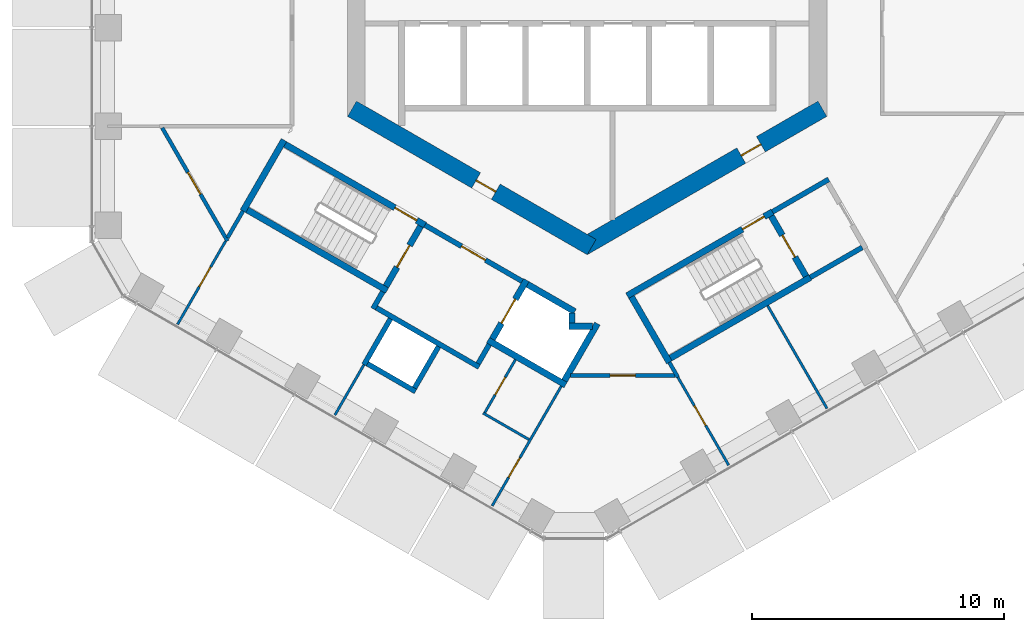
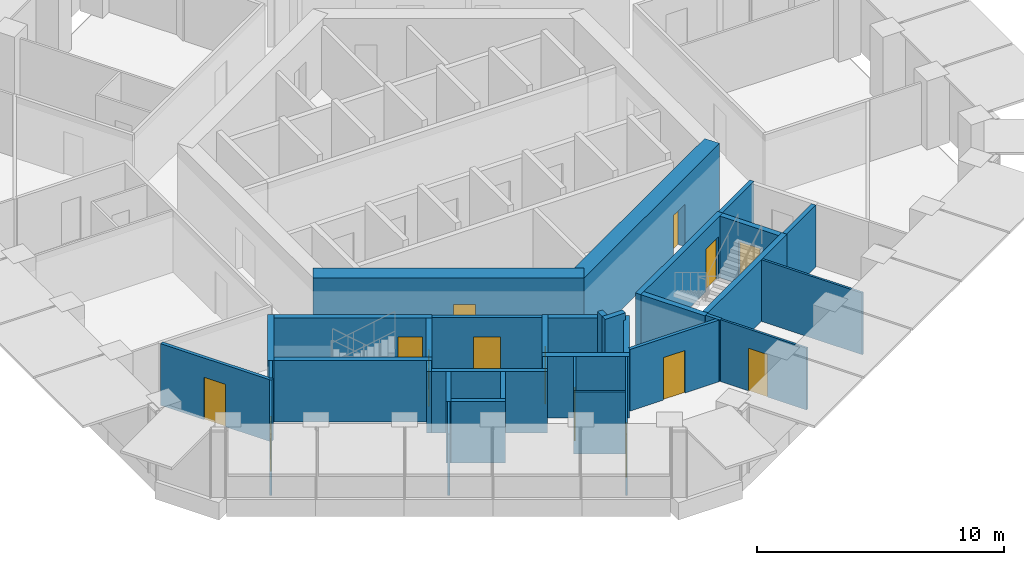
# One storey, part 12 of 18: 36 walls, 14 doors, 14 openings.
"""IFC4 building model written with IfcOpenShell, lengths in metres."""

from ifc_helpers import new_model, si_unit, direction, frame, frame_2d, origin, place, context, subcontext, project, spatial, rectangle, extrude, material, layer, layer_set, type_object, element, fill, save


model = new_model("IFC4")

# Units and contexts
model_context = context("Model", 3, precision=1e-05, world=origin(), true_north=direction((0.0, 1.0)))
body_context = subcontext(model_context, "Body", "Model", "MODEL_VIEW")
ifc_project = project(units=[si_unit("LENGTHUNIT", "METRE"), si_unit("AREAUNIT", "SQUARE_METRE"), si_unit("VOLUMEUNIT", "CUBIC_METRE"), si_unit("PLANEANGLEUNIT", "RADIAN"), si_unit("MASSUNIT", "GRAM", prefix="KILO")], contexts=[model_context])

# Site, building, storey
site_placement = place(None, origin())
site = spatial("IfcSite", under=ifc_project, at=site_placement, CompositionType="ELEMENT")
building_placement = place(site_placement, origin())
building = spatial("IfcBuilding", under=site, at=building_placement, Name="Ayvan Gate Tower", CompositionType="ELEMENT")
storey_placement = place(building_placement, frame((0.0, 0.0, 110.300048828125)))
storey = spatial("IfcBuildingStorey", under=building, at=storey_placement, Name="L29", CompositionType="ELEMENT", Elevation=110.300048828125)

# Wall, opening, door
ifc_material_1 = material(Name="Concrete C70/85", Category="concrete")
ifc_layer_1 = layer(ifc_material_1, 0.699951171875)
ifc_layer_set_1 = layer_set([ifc_layer_1], Name="Concrete C70/85")
wall_type_1 = type_object("IfcWallType", Name="Core wall 700 C70/85", PredefinedType="SHEAR", material=ifc_layer_set_1)
wall_1_placement = place(storey_placement, frame((-9.324951171875, -5.181640625, 0.0), z_axis=(0.0, 0.0, 1.0), x_axis=(0.866023993627, -0.500002442456, 0.0)))
wall_1 = element("IfcWall", 1, at=wall_1_placement, inside=storey, type_object=wall_type_1, Name="CORE-L29-4", PredefinedType="SHEAR", context=body_context, shape_type="SweptSolid", body=[
    extrude(rectangle(XDim=10.9697265625, YDim=0.699951171875, at=frame_2d((5.48486328125, 0.0))), origin(), (0.0, 0.0, 1.0), 3.39990234375),
])
opening_1_placement = place(wall_1_placement, frame((5.68212890625, 0.0, 0.0)))
opening_1 = element("IfcOpeningElement", 2, at=opening_1_placement, cuts=wall_1, Name="Opening L29-D42", PredefinedType="OPENING", context=body_context, shape_type="SweptSolid", body=[
    extrude(rectangle(XDim=0.89990234375, YDim=2.10009765625, at=frame_2d((0.449951171875, 1.050048828125))), frame((0.0, 0.35986328125, 0.0), z_axis=(0.0, -1.0, 0.0), x_axis=(1.0, 0.0, 0.0)), (0.0, 0.0, 1.0), 0.719970703125),
])
ifc_material_2 = material(Name="Timber door leaf", Category="wood")
door_type_1 = type_object("IfcDoorType", Name="DT-900", OperationType="NOTDEFINED", PredefinedType="DOOR", material=ifc_material_2)
door_1_placement = place(opening_1_placement, origin())
door_1 = element("IfcDoor", 3, at=door_1_placement, inside=storey, type_object=door_type_1, Name="CD-L29-42", OperationType="SINGLE_SWING_LEFT", OverallHeight=2.10009765625, OverallWidth=0.89990234375, PredefinedType="DOOR", context=body_context, shape_type="SweptSolid", body=[
    extrude(rectangle(XDim=0.89990234375, YDim=2.10009765625, at=frame_2d((0.449951171875, 1.050048828125))), frame((0.0, 0.02490234375, 0.0), z_axis=(0.0, -1.0, 0.0), x_axis=(1.0, 0.0, 0.0)), (0.0, 0.0, 1.0), 0.050048828125),
])
fill(opening_1, door_1)

wall_2_placement = place(storey_placement, frame((-0.175048828125, -10.66650390625, 0.0), z_axis=(0.0, 0.0, 1.0), x_axis=(0.866023993627, 0.500002442456, 0.0)))
wall_2 = element("IfcWall", 4, at=wall_2_placement, inside=storey, type_object=wall_type_1, Name="CORE-L29-5", PredefinedType="SHEAR", context=body_context, shape_type="SweptSolid", body=[
    extrude(rectangle(XDim=10.9697265625, YDim=0.699951171875, at=frame_2d((5.48486328125, 0.0))), origin(), (0.0, 0.0, 1.0), 3.39990234375),
])
opening_2_placement = place(wall_2_placement, frame((7.25244140625, 0.0, 0.0)))
opening_2 = element("IfcOpeningElement", 5, at=opening_2_placement, cuts=wall_2, Name="Opening L29-D43", PredefinedType="OPENING", context=body_context, shape_type="SweptSolid", body=[
    extrude(rectangle(XDim=0.89990234375, YDim=2.10009765625, at=frame_2d((0.449951171875, 1.050048828125))), frame((0.0, 0.35986328125, 0.0), z_axis=(0.0, -1.0, 0.0), x_axis=(1.0, 0.0, 0.0)), (0.0, 0.0, 1.0), 0.719970703125),
])
door_2_placement = place(opening_2_placement, origin())
door_2 = element("IfcDoor", 6, at=door_2_placement, inside=storey, type_object=door_type_1, Name="CD-L29-43", OperationType="SINGLE_SWING_RIGHT", OverallHeight=2.10009765625, OverallWidth=0.89990234375, PredefinedType="DOOR", context=body_context, shape_type="SweptSolid", body=[
    extrude(rectangle(XDim=0.89990234375, YDim=2.10009765625, at=frame_2d((0.449951171875, 1.050048828125))), frame((0.0, 0.02490234375, 0.0), z_axis=(0.0, -1.0, 0.0), x_axis=(1.0, 0.0, 0.0)), (0.0, 0.0, 1.0), 0.050048828125),
])
fill(opening_2, door_2)

ifc_material_3 = material(Name="Plasterboard on steel stud", Category="steel")
ifc_layer_2 = layer(ifc_material_3, 0.14990234375)
ifc_layer_set_2 = layer_set([ifc_layer_2], Name="Plasterboard on steel stud")
wall_type_2 = type_object("IfcWallType", Name="WT-CORR-150", PredefinedType="PARTITIONING", material=ifc_layer_set_2)
wall_3_placement = place(storey_placement, frame((-14.2587890625, -10.4267578125, 0.0), z_axis=(0.0, 0.0, 1.0), x_axis=(-0.500001205343, 0.866024707878, 0.0)))
wall_3 = element("IfcWall", 7, at=wall_3_placement, inside=storey, type_object=wall_type_2, Name="IW-L29-007", PredefinedType="PARTITIONING", context=body_context, shape_type="SweptSolid", body=[
    extrude(rectangle(XDim=5.1806640625, YDim=0.14990234375, at=frame_2d((2.59033203125, 0.0))), origin(), (0.0, 0.0, 1.0), 3.050048828125),
])
opening_3_placement = place(wall_3_placement, frame((2.14501953125, 0.0, 0.0)))
opening_3 = element("IfcOpeningElement", 8, at=opening_3_placement, cuts=wall_3, Name="Opening L29-D27", PredefinedType="OPENING", context=body_context, shape_type="SweptSolid", body=[
    extrude(rectangle(XDim=1.0, YDim=2.10009765625, at=frame_2d((0.5, 1.050048828125))), frame((0.0, 0.0849609375, 0.0), z_axis=(0.0, -1.0, 0.0), x_axis=(1.0, 0.0, 0.0)), (0.0, 0.0, 1.0), 0.169921875),
])
door_type_2 = type_object("IfcDoorType", Name="DT-1000", OperationType="NOTDEFINED", PredefinedType="DOOR", material=ifc_material_2)
door_3_placement = place(opening_3_placement, origin())
door_3 = element("IfcDoor", 9, at=door_3_placement, inside=storey, type_object=door_type_2, Name="ID-L29-027", OperationType="SINGLE_SWING_RIGHT", OverallHeight=2.10009765625, OverallWidth=1.0, PredefinedType="DOOR", context=body_context, shape_type="SweptSolid", body=[
    extrude(rectangle(XDim=1.0, YDim=2.10009765625, at=frame_2d((0.5, 1.050048828125))), frame((0.0, 0.02490234375, 0.0), z_axis=(0.0, -1.0, 0.0), x_axis=(1.0, 0.0, 0.0)), (0.0, 0.0, 1.0), 0.050048828125),
])
fill(opening_3, door_3)

# Walls
wall_4_placement = place(storey_placement, frame((-13.647705078125, -9.23876953125, 0.0), z_axis=(0.0, 0.0, 1.0), x_axis=(-0.500114474492, -0.865959301817, 0.0)))
element("IfcWall", 10, at=wall_4_placement, inside=storey, type_object=wall_type_2, Name="IW-L29-010", PredefinedType="PARTITIONING", context=body_context, shape_type="SweptSolid", body=[
    extrude(rectangle(XDim=1.221923828125, YDim=0.14990234375, at=frame_2d((0.61083984375, 0.0))), origin(), (0.0, 0.0, 1.0), 3.050048828125),
])
wall_5_placement = place(storey_placement, frame((3.255615234375, -15.23876953125, 0.0), z_axis=(0.0, 0.0, 1.0), x_axis=(0.499930013145, -0.866065806944, 0.0)))
element("IfcWall", 11, at=wall_5_placement, inside=storey, type_object=wall_type_2, Name="IW-L29-072", PredefinedType="PARTITIONING", context=body_context, shape_type="SweptSolid", body=[
    extrude(rectangle(XDim=0.6787109375, YDim=0.14990234375, at=frame_2d((0.33935546875, 0.0))), origin(), (0.0, 0.0, 1.0), 3.050048828125),
])

# Wall, opening, door
wall_6_placement = place(storey_placement, frame((3.482421875, -15.76171875, 0.0), z_axis=(0.0, 0.0, 1.0), x_axis=(-1.0, 0.0, 0.0)))
wall_6 = element("IfcWall", 12, at=wall_6_placement, inside=storey, type_object=wall_type_2, Name="IW-L29-075", PredefinedType="PARTITIONING", context=body_context, shape_type="SweptSolid", body=[
    extrude(rectangle(XDim=4.1435546875, YDim=0.14990234375, at=frame_2d((2.07177734375, 0.0))), origin(), (0.0, 0.0, 1.0), 3.050048828125),
])
opening_4_placement = place(wall_6_placement, frame((1.572021484375, 0.0, 0.0)))
opening_4 = element("IfcOpeningElement", 13, at=opening_4_placement, cuts=wall_6, Name="Opening L29-D29", PredefinedType="OPENING", context=body_context, shape_type="SweptSolid", body=[
    extrude(rectangle(XDim=1.0, YDim=2.10009765625, at=frame_2d((0.5, 1.050048828125))), frame((0.0, 0.0849609375, 0.0), z_axis=(0.0, -1.0, 0.0), x_axis=(1.0, 0.0, 0.0)), (0.0, 0.0, 1.0), 0.169921875),
])
door_4_placement = place(opening_4_placement, origin())
door_4 = element("IfcDoor", 14, at=door_4_placement, inside=storey, type_object=door_type_2, Name="ID-L29-029", OperationType="SINGLE_SWING_RIGHT", OverallHeight=2.10009765625, OverallWidth=1.0, PredefinedType="DOOR", context=body_context, shape_type="SweptSolid", body=[
    extrude(rectangle(XDim=1.0, YDim=2.10009765625, at=frame_2d((0.5, 1.050048828125))), frame((0.0, 0.02490234375, 0.0), z_axis=(0.0, -1.0, 0.0), x_axis=(1.0, 0.0, 0.0)), (0.0, 0.0, 1.0), 0.050048828125),
])
fill(opening_4, door_4)

ifc_layer_3 = layer(ifc_material_3, 0.10009765625)
ifc_layer_set_3 = layer_set([ifc_layer_3], Name="Plasterboard on steel stud")
wall_type_3 = type_object("IfcWallType", Name="WT-PART-100", PredefinedType="PARTITIONING", material=ifc_layer_set_3)
wall_7_placement = place(storey_placement, frame((-14.333740234375, -10.4267578125, 0.0), z_axis=(0.0, 0.0, 1.0), x_axis=(-0.500005339912, -0.866022320763, 0.0)))
wall_7 = element("IfcWall", 15, at=wall_7_placement, inside=storey, type_object=wall_type_3, Name="IW-L29-008", PredefinedType="PARTITIONING", context=body_context, shape_type="SweptSolid", body=[
    extrude(rectangle(XDim=3.81005859375, YDim=0.10009765625, at=frame_2d((1.905029296875, 0.0))), origin(), (0.0, 0.0, 1.0), 3.050048828125),
])
opening_5_placement = place(wall_7_placement, frame((1.1943359375, 0.0, 0.0)))
opening_5 = element("IfcOpeningElement", 16, at=opening_5_placement, cuts=wall_7, Name="Opening L29-D28", PredefinedType="OPENING", context=body_context, shape_type="SweptSolid", body=[
    extrude(rectangle(XDim=0.89990234375, YDim=2.10009765625, at=frame_2d((0.449951171875, 1.050048828125))), frame((0.0, 0.06005859375, 0.0), z_axis=(0.0, -1.0, 0.0), x_axis=(1.0, 0.0, 0.0)), (0.0, 0.0, 1.0), 0.1201171875),
])
door_5_placement = place(opening_5_placement, origin())
door_5 = element("IfcDoor", 17, at=door_5_placement, inside=storey, type_object=door_type_1, Name="ID-L29-028", OperationType="SINGLE_SWING_LEFT", OverallHeight=2.10009765625, OverallWidth=0.89990234375, PredefinedType="DOOR", context=body_context, shape_type="SweptSolid", body=[
    extrude(rectangle(XDim=0.89990234375, YDim=2.10009765625, at=frame_2d((0.449951171875, 1.050048828125))), frame((0.0, 0.02490234375, 0.0), z_axis=(0.0, -1.0, 0.0), x_axis=(1.0, 0.0, 0.0)), (0.0, 0.0, 1.0), 0.050048828125),
])
fill(opening_5, door_5)

# Walls
wall_8_placement = place(storey_placement, frame((-10.00341796875, -17.326171875, 0.0), z_axis=(0.0, 0.0, 1.0), x_axis=(0.500009533716, 0.866019899421, 0.0)))
element("IfcWall", 18, at=wall_8_placement, inside=storey, type_object=wall_type_3, Name="IW-L29-024", PredefinedType="PARTITIONING", context=body_context, shape_type="SweptSolid", body=[
    extrude(rectangle(XDim=2.306640625, YDim=0.10009765625, at=frame_2d((1.1533203125, 0.0))), origin(), (0.0, 0.0, 1.0), 3.050048828125),
])
wall_9_placement = place(storey_placement, frame((-4.126708984375, -17.247314453125, 0.0), z_axis=(0.0, 0.0, 1.0), x_axis=(0.866038466041, -0.499977374825, 0.0)))
element("IfcWall", 19, at=wall_9_placement, inside=storey, type_object=wall_type_3, Name="IW-L29-039", PredefinedType="PARTITIONING", context=body_context, shape_type="SweptSolid", body=[
    extrude(rectangle(XDim=2.10009765625, YDim=0.10009765625, at=frame_2d((1.050048828125, 0.0))), origin(), (0.0, 0.0, 1.0), 3.050048828125),
])

# Wall, opening, door
wall_10_placement = place(storey_placement, frame((-3.767822265625, -20.92626953125, 0.0), z_axis=(0.0, 0.0, 1.0), x_axis=(0.499980760091, 0.866036511666, 0.0)))
wall_10 = element("IfcWall", 20, at=wall_10_placement, inside=storey, type_object=wall_type_3, Name="IW-L29-041", PredefinedType="PARTITIONING", context=body_context, shape_type="SweptSolid", body=[
    extrude(rectangle(XDim=5.481689453125, YDim=0.10009765625, at=frame_2d((2.74072265625, 0.0))), origin(), (0.0, 0.0, 1.0), 3.050048828125),
])
opening_6_placement = place(wall_10_placement, frame((1.298828125, 0.0, 0.0)))
opening_6 = element("IfcOpeningElement", 21, at=opening_6_placement, cuts=wall_10, Name="Opening L29-D30", PredefinedType="OPENING", context=body_context, shape_type="SweptSolid", body=[
    extrude(rectangle(XDim=0.89990234375, YDim=2.10009765625, at=frame_2d((0.449951171875, 1.050048828125))), frame((0.0, 0.06005859375, 0.0), z_axis=(0.0, -1.0, 0.0), x_axis=(1.0, 0.0, 0.0)), (0.0, 0.0, 1.0), 0.1201171875),
])
door_6_placement = place(opening_6_placement, origin())
door_6 = element("IfcDoor", 22, at=door_6_placement, inside=storey, type_object=door_type_1, Name="ID-L29-030", OperationType="SINGLE_SWING_LEFT", OverallHeight=2.10009765625, OverallWidth=0.89990234375, PredefinedType="DOOR", context=body_context, shape_type="SweptSolid", body=[
    extrude(rectangle(XDim=0.89990234375, YDim=2.10009765625, at=frame_2d((0.449951171875, 1.050048828125))), frame((0.0, 0.02490234375, 0.0), z_axis=(0.0, -1.0, 0.0), x_axis=(1.0, 0.0, 0.0)), (0.0, 0.0, 1.0), 0.050048828125),
])
fill(opening_6, door_6)

wall_11_placement = place(storey_placement, frame((-2.845703125, -15.12890625, 0.0), z_axis=(0.0, 0.0, 1.0), x_axis=(-0.500047793048, -0.865997808697, 0.0)))
wall_11 = element("IfcWall", 23, at=wall_11_placement, inside=storey, type_object=wall_type_3, Name="IW-L29-047", PredefinedType="PARTITIONING", context=body_context, shape_type="SweptSolid", body=[
    extrude(rectangle(XDim=2.425048828125, YDim=0.10009765625, at=frame_2d((1.21240234375, 0.0))), origin(), (0.0, 0.0, 1.0), 3.050048828125),
])
opening_7_placement = place(wall_11_placement, frame((0.8125, 0.0, 0.0)))
opening_7 = element("IfcOpeningElement", 24, at=opening_7_placement, cuts=wall_11, Name="Opening L29-D31", PredefinedType="OPENING", context=body_context, shape_type="SweptSolid", body=[
    extrude(rectangle(XDim=0.800048828125, YDim=2.10009765625, at=frame_2d((0.39990234375, 1.050048828125))), frame((0.0, 0.06005859375, 0.0), z_axis=(0.0, -1.0, 0.0), x_axis=(1.0, 0.0, 0.0)), (0.0, 0.0, 1.0), 0.1201171875),
])
door_type_3 = type_object("IfcDoorType", Name="DT-800", OperationType="NOTDEFINED", PredefinedType="DOOR", material=ifc_material_2)
door_7_placement = place(opening_7_placement, origin())
door_7 = element("IfcDoor", 25, at=door_7_placement, inside=storey, type_object=door_type_3, Name="ID-L29-031", OperationType="SINGLE_SWING_RIGHT", OverallHeight=2.10009765625, OverallWidth=0.800048828125, PredefinedType="DOOR", context=body_context, shape_type="SweptSolid", body=[
    extrude(rectangle(XDim=0.800048828125, YDim=2.10009765625, at=frame_2d((0.39990234375, 1.050048828125))), frame((0.0, 0.02490234375, 0.0), z_axis=(0.0, -1.0, 0.0), x_axis=(1.0, 0.0, 0.0)), (0.0, 0.0, 1.0), 0.050048828125),
])
fill(opening_7, door_7)

wall_12_placement = place(storey_placement, frame((3.594970703125, -15.82666015625, 0.0), z_axis=(0.0, 0.0, 1.0), x_axis=(0.499991787927, -0.866030144975, 0.0)))
wall_12 = element("IfcWall", 26, at=wall_12_placement, inside=storey, type_object=wall_type_3, Name="IW-L29-076", PredefinedType="PARTITIONING", context=body_context, shape_type="SweptSolid", body=[
    extrude(rectangle(XDim=4.02783203125, YDim=0.10009765625, at=frame_2d((2.013916015625, 0.0))), origin(), (0.0, 0.0, 1.0), 3.050048828125),
])
opening_8_placement = place(wall_12_placement, frame((1.303466796875, 0.0, 0.0)))
opening_8 = element("IfcOpeningElement", 27, at=opening_8_placement, cuts=wall_12, Name="Opening L29-D32", PredefinedType="OPENING", context=body_context, shape_type="SweptSolid", body=[
    extrude(rectangle(XDim=0.89990234375, YDim=2.10009765625, at=frame_2d((0.449951171875, 1.050048828125))), frame((0.0, 0.06005859375, 0.0), z_axis=(0.0, -1.0, 0.0), x_axis=(1.0, 0.0, 0.0)), (0.0, 0.0, 1.0), 0.1201171875),
])
door_8_placement = place(opening_8_placement, origin())
door_8 = element("IfcDoor", 28, at=door_8_placement, inside=storey, type_object=door_type_1, Name="ID-L29-032", OperationType="SINGLE_SWING_LEFT", OverallHeight=2.10009765625, OverallWidth=0.89990234375, PredefinedType="DOOR", context=body_context, shape_type="SweptSolid", body=[
    extrude(rectangle(XDim=0.89990234375, YDim=2.10009765625, at=frame_2d((0.449951171875, 1.050048828125))), frame((0.0, 0.02490234375, 0.0), z_axis=(0.0, -1.0, 0.0), x_axis=(1.0, 0.0, 0.0)), (0.0, 0.0, 1.0), 0.050048828125),
])
fill(opening_8, door_8)

# Walls
wall_13_placement = place(storey_placement, frame((7.152587890625, -12.98876953125, 0.0), z_axis=(0.0, 0.0, 1.0), x_axis=(0.500021781351, -0.86601282795, 0.0)))
element("IfcWall", 29, at=wall_13_placement, inside=storey, type_object=wall_type_3, Name="IW-L29-083", PredefinedType="PARTITIONING", context=body_context, shape_type="SweptSolid", body=[
    extrude(rectangle(XDim=4.706787109375, YDim=0.10009765625, at=frame_2d((2.353515625, 0.0))), origin(), (0.0, 0.0, 1.0), 3.050048828125),
])
ifc_layer_4 = layer(ifc_material_3, 0.199951171875)
ifc_layer_set_4 = layer_set([ifc_layer_4], Name="Plasterboard on steel stud")
wall_type_4 = type_object("IfcWallType", Name="WT-PLUMB-200", PredefinedType="PLUMBINGWALL", material=ifc_layer_set_4)
wall_14_placement = place(storey_placement, frame((-8.85009765625, -15.32861328125, 0.0), z_axis=(0.0, 0.0, 1.0), x_axis=(0.500027713859, 0.866009402589, 0.0)))
element("IfcWall", 30, at=wall_14_placement, inside=storey, type_object=wall_type_4, Name="IW-L29-018", PredefinedType="PLUMBINGWALL", context=body_context, shape_type="SweptSolid", body=[
    extrude(rectangle(XDim=2.10009765625, YDim=0.199951171875, at=frame_2d((1.050048828125, 0.0))), origin(), (0.0, 0.0, 1.0), 3.050048828125),
])
wall_15_placement = place(storey_placement, frame((-6.80810546875, -16.39208984375, 0.0), z_axis=(0.0, 0.0, 1.0), x_axis=(-0.866008176907, 0.50002983664, 0.0)))
element("IfcWall", 31, at=wall_15_placement, inside=storey, type_object=wall_type_4, Name="IW-L29-031", PredefinedType="PLUMBINGWALL", context=body_context, shape_type="SweptSolid", body=[
    extrude(rectangle(XDim=2.199951171875, YDim=0.199951171875, at=frame_2d((1.10009765625, 0.0))), origin(), (0.0, 0.0, 1.0), 3.050048828125),
])
wall_16_placement = place(storey_placement, frame((-5.894775390625, -14.610107421875, 0.0), z_axis=(0.0, 0.0, 1.0), x_axis=(-0.500022797313, -0.86601224135, 0.0)))
element("IfcWall", 32, at=wall_16_placement, inside=storey, type_object=wall_type_4, Name="IW-L29-034", PredefinedType="PLUMBINGWALL", context=body_context, shape_type="SweptSolid", body=[
    extrude(rectangle(XDim=1.89990234375, YDim=0.199951171875, at=frame_2d((0.949951171875, 0.0))), origin(), (0.0, 0.0, 1.0), 3.050048828125),
])
ifc_layer_5 = layer(ifc_material_3, 0.199951171875)
ifc_layer_set_5 = layer_set([ifc_layer_5], Name="Plasterboard on steel stud")
wall_type_5 = type_object("IfcWallType", Name="WT-RATED-200", PredefinedType="PARTITIONING", material=ifc_layer_set_5)
wall_17_placement = place(storey_placement, frame((-8.492919921875, -13.110107421875, 0.0), z_axis=(0.0, 0.0, 1.0), x_axis=(0.500067724834, 0.865986299303, 0.0)))
element("IfcWall", 33, at=wall_17_placement, inside=storey, type_object=wall_type_5, Name="IW-L29-022", PredefinedType="PARTITIONING", context=body_context, shape_type="SweptSolid", body=[
    extrude(rectangle(XDim=0.775390625, YDim=0.199951171875, at=frame_2d((0.3876953125, 0.0))), origin(), (0.0, 0.0, 1.0), 3.050048828125),
])
wall_18_placement = place(storey_placement, frame((-8.356201171875, -13.073486328125, 0.0), z_axis=(0.0, 0.0, 1.0), x_axis=(0.866038532462, -0.499977259774, 0.0)))
element("IfcWall", 34, at=wall_18_placement, inside=storey, type_object=wall_type_5, Name="IW-L29-025", PredefinedType="PARTITIONING", context=body_context, shape_type="SweptSolid", body=[
    extrude(rectangle(XDim=4.699951171875, YDim=0.199951171875, at=frame_2d((2.35009765625, 0.0))), origin(), (0.0, 0.0, 1.0), 3.050048828125),
])

# Wall, opening, door
wall_19_placement = place(storey_placement, frame((-6.4345703125, -9.794921875, 0.0), z_axis=(0.0, 0.0, 1.0), x_axis=(0.866012907634, -0.500021643343, 0.0)))
wall_19 = element("IfcWall", 35, at=wall_19_placement, inside=storey, type_object=wall_type_5, Name="IW-L29-033", PredefinedType="PARTITIONING", context=body_context, shape_type="SweptSolid", body=[
    extrude(rectangle(XDim=4.449951171875, YDim=0.199951171875, at=frame_2d((2.22509765625, 0.0))), origin(), (0.0, 0.0, 1.0), 3.050048828125),
])
opening_9_placement = place(wall_19_placement, frame((1.675048828125, 0.0, 0.0)))
opening_9 = element("IfcOpeningElement", 36, at=opening_9_placement, cuts=wall_19, Name="Opening L29-D12", PredefinedType="OPENING", context=body_context, shape_type="SweptSolid", body=[
    extrude(rectangle(XDim=1.10009765625, YDim=2.10009765625, at=frame_2d((0.550048828125, 1.050048828125))), frame((0.0, 0.10986328125, 0.0), z_axis=(0.0, -1.0, 0.0), x_axis=(1.0, 0.0, 0.0)), (0.0, 0.0, 1.0), 0.219970703125),
])
door_type_4 = type_object("IfcDoorType", Name="DT-1100", OperationType="NOTDEFINED", PredefinedType="DOOR", material=ifc_material_2)
door_9_placement = place(opening_9_placement, origin())
door_9 = element("IfcDoor", 37, at=door_9_placement, inside=storey, type_object=door_type_4, Name="ID-L29-012", OperationType="SINGLE_SWING_LEFT", OverallHeight=2.10009765625, OverallWidth=1.10009765625, PredefinedType="DOOR", context=body_context, shape_type="SweptSolid", body=[
    extrude(rectangle(XDim=1.10009765625, YDim=2.10009765625, at=frame_2d((0.550048828125, 1.050048828125))), frame((0.0, 0.02490234375, 0.0), z_axis=(0.0, -1.0, 0.0), x_axis=(1.0, 0.0, 0.0)), (0.0, 0.0, 1.0), 0.050048828125),
])
fill(opening_9, door_9)

# Walls
wall_20_placement = place(storey_placement, frame((-3.885009765625, -14.52880859375, 0.0), z_axis=(0.0, 0.0, 1.0), x_axis=(-0.499859285417, -0.866106630146, 0.0)))
element("IfcWall", 38, at=wall_20_placement, inside=storey, type_object=wall_type_5, Name="IW-L29-040", PredefinedType="PARTITIONING", context=body_context, shape_type="SweptSolid", body=[
    extrude(rectangle(XDim=0.875244140625, YDim=0.199951171875, at=frame_2d((0.4375, 0.0))), origin(), (0.0, 0.0, 1.0), 3.050048828125),
])
wall_21_placement = place(storey_placement, frame((7.343994140625, -9.27001953125, 0.0), z_axis=(0.0, 0.0, 1.0), x_axis=(0.866005588531, 0.500034319456, 0.0)))
element("IfcWall", 39, at=wall_21_placement, inside=storey, type_object=wall_type_5, Name="IW-L29-086", PredefinedType="PARTITIONING", context=body_context, shape_type="SweptSolid", body=[
    extrude(rectangle(XDim=2.574951171875, YDim=0.199951171875, at=frame_2d((1.28759765625, 0.0))), origin(), (0.0, 0.0, 1.0), 3.050048828125),
])
wall_22_placement = place(storey_placement, frame((10.900634765625, -10.6806640625, 0.0), z_axis=(0.0, 0.0, 1.0), x_axis=(-0.866007538022, -0.500030943131, 0.0)))
element("IfcWall", 40, at=wall_22_placement, inside=storey, type_object=wall_type_5, Name="IW-L29-095", PredefinedType="PARTITIONING", context=body_context, shape_type="SweptSolid", body=[
    extrude(rectangle(XDim=2.374755859375, YDim=0.199951171875, at=frame_2d((1.1875, 0.0))), origin(), (0.0, 0.0, 1.0), 3.050048828125),
])
ifc_material_4 = material(Name="Concrete C50/60", Category="concrete")
ifc_layer_6 = layer(ifc_material_4, 0.25)
ifc_layer_set_6 = layer_set([ifc_layer_6], Name="Concrete C50/60")
wall_type_6 = type_object("IfcWallType", Name="WT-RC-250", PredefinedType="SHEAR", material=ifc_layer_set_6)
wall_23_placement = place(storey_placement, frame((-13.64794921875, -9.23876953125, 0.0), z_axis=(0.0, 0.0, 1.0), x_axis=(0.500017246033, 0.866015446554, 0.0)))
element("IfcWall", 41, at=wall_23_placement, inside=storey, type_object=wall_type_6, Name="IW-L29-009", PredefinedType="SHEAR", context=body_context, shape_type="SweptSolid", body=[
    extrude(rectangle(XDim=3.25, YDim=0.25, at=frame_2d((1.625, 0.0))), origin(), (0.0, 0.0, 1.0), 3.050048828125),
])

# Wall, opening, door
wall_24_placement = place(storey_placement, frame((-11.97705078125, -6.594970703125, 0.0), z_axis=(0.0, 0.0, 1.0), x_axis=(0.866025499775, -0.499999833739, 0.0)))
wall_24 = element("IfcWall", 42, at=wall_24_placement, inside=storey, type_object=wall_type_6, Name="IW-L29-012", PredefinedType="SHEAR", context=body_context, shape_type="SweptSolid", body=[
    extrude(rectangle(XDim=6.39990234375, YDim=0.25, at=frame_2d((3.199951171875, 0.0))), origin(), (0.0, 0.0, 1.0), 3.050048828125),
])
opening_10_placement = place(wall_24_placement, frame((5.02490234375, 0.0, 0.0)))
opening_10 = element("IfcOpeningElement", 43, at=opening_10_placement, cuts=wall_24, Name="Opening L29-D10", PredefinedType="OPENING", context=body_context, shape_type="SweptSolid", body=[
    extrude(rectangle(XDim=1.0, YDim=2.10009765625, at=frame_2d((0.5, 1.050048828125))), frame((0.0, 0.135009765625, 0.0), z_axis=(0.0, -1.0, 0.0), x_axis=(1.0, 0.0, 0.0)), (0.0, 0.0, 1.0), 0.27001953125),
])
door_10_placement = place(opening_10_placement, origin())
door_10 = element("IfcDoor", 44, at=door_10_placement, inside=storey, type_object=door_type_2, Name="ID-L29-010", OperationType="SINGLE_SWING_LEFT", OverallHeight=2.10009765625, OverallWidth=1.0, PredefinedType="DOOR", context=body_context, shape_type="SweptSolid", body=[
    extrude(rectangle(XDim=1.0, YDim=2.10009765625, at=frame_2d((0.5, 1.050048828125))), frame((0.0, 0.02490234375, 0.0), z_axis=(0.0, -1.0, 0.0), x_axis=(1.0, 0.0, 0.0)), (0.0, 0.0, 1.0), 0.050048828125),
])
fill(opening_10, door_10)

# Wall
wall_25_placement = place(storey_placement, frame((-7.9345703125, -12.39306640625, 0.0), z_axis=(0.0, 0.0, 1.0), x_axis=(-0.866025499775, 0.499999833739, 0.0)))
element("IfcWall", 45, at=wall_25_placement, inside=storey, type_object=wall_type_6, Name="IW-L29-023", PredefinedType="SHEAR", context=body_context, shape_type="SweptSolid", body=[
    extrude(rectangle(XDim=6.39990234375, YDim=0.25, at=frame_2d((3.199951171875, 0.0))), origin(), (0.0, 0.0, 1.0), 3.050048828125),
])

# Wall, opening, door
wall_26_placement = place(storey_placement, frame((-6.605224609375, -9.8408203125, 0.0), z_axis=(0.0, 0.0, 1.0), x_axis=(-0.499996545922, -0.866027397988, 0.0)))
wall_26 = element("IfcWall", 46, at=wall_26_placement, inside=storey, type_object=wall_type_6, Name="IW-L29-032", PredefinedType="SHEAR", context=body_context, shape_type="SweptSolid", body=[
    extrude(rectangle(XDim=2.75, YDim=0.25, at=frame_2d((1.375, 0.0))), origin(), (0.0, 0.0, 1.0), 3.050048828125),
])
opening_11_placement = place(wall_26_placement, frame((0.875, 0.0, 0.0)))
opening_11 = element("IfcOpeningElement", 47, at=opening_11_placement, cuts=wall_26, Name="Opening L29-D11", PredefinedType="OPENING", context=body_context, shape_type="SweptSolid", body=[
    extrude(rectangle(XDim=1.0, YDim=2.10009765625, at=frame_2d((0.5, 1.050048828125))), frame((0.0, 0.135009765625, 0.0), z_axis=(0.0, -1.0, 0.0), x_axis=(1.0, 0.0, 0.0)), (0.0, 0.0, 1.0), 0.27001953125),
])
door_11_placement = place(opening_11_placement, origin())
door_11 = element("IfcDoor", 48, at=door_11_placement, inside=storey, type_object=door_type_2, Name="ID-L29-011", OperationType="SINGLE_SWING_RIGHT", OverallHeight=2.10009765625, OverallWidth=1.0, PredefinedType="DOOR", context=body_context, shape_type="SweptSolid", body=[
    extrude(rectangle(XDim=1.0, YDim=2.10009765625, at=frame_2d((0.5, 1.050048828125))), frame((0.0, 0.02490234375, 0.0), z_axis=(0.0, -1.0, 0.0), x_axis=(1.0, 0.0, 0.0)), (0.0, 0.0, 1.0), 0.050048828125),
])
fill(opening_11, door_11)

# Wall
wall_27_placement = place(storey_placement, frame((-3.930908203125, -14.3583984375, 0.0), z_axis=(0.0, 0.0, 1.0), x_axis=(0.8660424351, -0.499970499736, 0.0)))
element("IfcWall", 49, at=wall_27_placement, inside=storey, type_object=wall_type_6, Name="IW-L29-048", PredefinedType="SHEAR", context=body_context, shape_type="SweptSolid", body=[
    extrude(rectangle(XDim=3.550048828125, YDim=0.25, at=frame_2d((1.77490234375, 0.0))), origin(), (0.0, 0.0, 1.0), 3.050048828125),
])

# Wall, opening, door
wall_28_placement = place(storey_placement, frame((-2.409912109375, -11.97412109375, 0.0), z_axis=(0.0, 0.0, 1.0), x_axis=(-0.50000943426, -0.866019956843, 0.0)))
wall_28 = element("IfcWall", 50, at=wall_28_placement, inside=storey, type_object=wall_type_6, Name="IW-L29-049", PredefinedType="SHEAR", context=body_context, shape_type="SweptSolid", body=[
    extrude(rectangle(XDim=2.7001953125, YDim=0.25, at=frame_2d((1.35009765625, 0.0))), origin(), (0.0, 0.0, 1.0), 3.050048828125),
])
opening_12_placement = place(wall_28_placement, frame((0.87744140625, 0.0, 0.0)))
opening_12 = element("IfcOpeningElement", 51, at=opening_12_placement, cuts=wall_28, Name="Opening L29-LD-FF2", PredefinedType="OPENING", context=body_context, shape_type="SweptSolid", body=[
    extrude(rectangle(XDim=1.10009765625, YDim=2.10009765625, at=frame_2d((0.550048828125, 1.050048828125))), frame((0.0, 0.135009765625, 0.0), z_axis=(0.0, -1.0, 0.0), x_axis=(1.0, 0.0, 0.0)), (0.0, 0.0, 1.0), 0.27001953125),
])
ifc_material_5 = material(Name="Stainless steel landing door", Category="steel")
door_type_5 = type_object("IfcDoorType", Name="DT-LANDING-1100", OperationType="SLIDING_TO_LEFT", PredefinedType="DOOR", material=ifc_material_5)
door_12_placement = place(opening_12_placement, origin())
door_12 = element("IfcDoor", 52, at=door_12_placement, inside=storey, type_object=door_type_5, Name="ID-L29-013", OperationType="SLIDING_TO_LEFT", OverallHeight=2.10009765625, OverallWidth=1.10009765625, PredefinedType="DOOR", context=body_context, shape_type="SweptSolid", body=[
    extrude(rectangle(XDim=1.10009765625, YDim=2.10009765625, at=frame_2d((0.550048828125, 1.050048828125))), frame((0.0, 0.02490234375, 0.0), z_axis=(0.0, -1.0, 0.0), x_axis=(1.0, 0.0, 0.0)), (0.0, 0.0, 1.0), 0.050048828125),
])
fill(opening_12, door_12)

# Walls
wall_29_placement = place(storey_placement, frame((-2.3642578125, -12.14501953125, 0.0), z_axis=(0.0, 0.0, 1.0), x_axis=(0.86603892542, -0.499976579108, 0.0)))
element("IfcWall", 53, at=wall_29_placement, inside=storey, type_object=wall_type_6, Name="IW-L29-050", PredefinedType="SHEAR", context=body_context, shape_type="SweptSolid", body=[
    extrude(rectangle(XDim=2.162109375, YDim=0.25, at=frame_2d((1.0810546875, 0.0))), origin(), (0.0, 0.0, 1.0), 3.050048828125),
])
wall_30_placement = place(storey_placement, frame((-0.902099609375, -15.96240234375, 0.0), z_axis=(0.0, 0.0, 1.0), x_axis=(0.499981517636, 0.866036074319, 0.0)))
element("IfcWall", 54, at=wall_30_placement, inside=storey, type_object=wall_type_6, Name="IW-L29-054", PredefinedType="SHEAR", context=body_context, shape_type="SweptSolid", body=[
    extrude(rectangle(XDim=2.6103515625, YDim=0.25, at=frame_2d((1.30517578125, 0.0))), origin(), (0.0, 0.0, 1.0), 3.050048828125),
])
wall_31_placement = place(storey_placement, frame((-0.72509765625, -13.81005859375, 0.0), z_axis=(0.0, 0.0, 1.0), x_axis=(1.0, 0.0, 0.0)))
element("IfcWall", 55, at=wall_31_placement, inside=storey, type_object=wall_type_6, Name="IW-L29-055", PredefinedType="SHEAR", context=body_context, shape_type="SweptSolid", body=[
    extrude(rectangle(XDim=0.940673828125, YDim=0.25, at=frame_2d((0.47021484375, 0.0))), origin(), (0.0, 0.0, 1.0), 3.39990234375),
])
wall_32_placement = place(storey_placement, frame((-0.60009765625, -13.28857421875, 0.0), z_axis=(0.0, 0.0, 1.0), x_axis=(0.0, -1.0, 0.0)))
element("IfcWall", 56, at=wall_32_placement, inside=storey, type_object=wall_type_6, Name="IW-L29-056", PredefinedType="SHEAR", context=body_context, shape_type="SweptSolid", body=[
    extrude(rectangle(XDim=0.396484375, YDim=0.25, at=frame_2d((0.1982421875, 0.0))), origin(), (0.0, 0.0, 1.0), 3.39990234375),
])

# Wall, opening, door
wall_33_placement = place(storey_placement, frame((1.584716796875, -12.594970703125, 0.0), z_axis=(0.0, 0.0, 1.0), x_axis=(0.866036417653, 0.499980922934, 0.0)))
wall_33 = element("IfcWall", 57, at=wall_33_placement, inside=storey, type_object=wall_type_6, Name="IW-L29-066", PredefinedType="SHEAR", context=body_context, shape_type="SweptSolid", body=[
    extrude(rectangle(XDim=6.650146484375, YDim=0.25, at=frame_2d((3.3251953125, 0.0))), origin(), (0.0, 0.0, 1.0), 3.050048828125),
])
opening_13_placement = place(wall_33_placement, frame((5.27490234375, 0.0, 0.0)))
opening_13 = element("IfcOpeningElement", 58, at=opening_13_placement, cuts=wall_33, Name="Opening L29-D14", PredefinedType="OPENING", context=body_context, shape_type="SweptSolid", body=[
    extrude(rectangle(XDim=1.0, YDim=2.10009765625, at=frame_2d((0.5, 1.050048828125))), frame((0.0, 0.135009765625, 0.0), z_axis=(0.0, -1.0, 0.0), x_axis=(1.0, 0.0, 0.0)), (0.0, 0.0, 1.0), 0.27001953125),
])
door_13_placement = place(opening_13_placement, origin())
door_13 = element("IfcDoor", 59, at=door_13_placement, inside=storey, type_object=door_type_2, Name="ID-L29-014", OperationType="SINGLE_SWING_LEFT", OverallHeight=2.10009765625, OverallWidth=1.0, PredefinedType="DOOR", context=body_context, shape_type="SweptSolid", body=[
    extrude(rectangle(XDim=1.0, YDim=2.10009765625, at=frame_2d((0.5, 1.050048828125))), frame((0.0, 0.02490234375, 0.0), z_axis=(0.0, -1.0, 0.0), x_axis=(1.0, 0.0, 0.0)), (0.0, 0.0, 1.0), 0.050048828125),
])
fill(opening_13, door_13)

# Walls
wall_34_placement = place(storey_placement, frame((3.255615234375, -15.23876953125, 0.0), z_axis=(0.0, 0.0, 1.0), x_axis=(-0.50002537861, 0.866010750942, 0.0)))
element("IfcWall", 60, at=wall_34_placement, inside=storey, type_object=wall_type_6, Name="IW-L29-073", PredefinedType="SHEAR", context=body_context, shape_type="SweptSolid", body=[
    extrude(rectangle(XDim=2.999755859375, YDim=0.25, at=frame_2d((1.5, 0.0))), origin(), (0.0, 0.0, 1.0), 3.050048828125),
])
wall_35_placement = place(storey_placement, frame((3.30126953125, -15.068115234375, 0.0), z_axis=(0.0, 0.0, 1.0), x_axis=(0.866035036182, 0.499983315828, 0.0)))
element("IfcWall", 61, at=wall_35_placement, inside=storey, type_object=wall_type_6, Name="IW-L29-084", PredefinedType="SHEAR", context=body_context, shape_type="SweptSolid", body=[
    extrude(rectangle(XDim=6.400146484375, YDim=0.25, at=frame_2d((3.2001953125, 0.0))), origin(), (0.0, 0.0, 1.0), 3.050048828125),
])

# Wall, opening, door
wall_36_placement = place(storey_placement, frame((7.298095703125, -9.44091796875, 0.0), z_axis=(0.0, 0.0, 1.0), x_axis=(0.500034990121, -0.866005201286, 0.0)))
wall_36 = element("IfcWall", 62, at=wall_36_placement, inside=storey, type_object=wall_type_6, Name="IW-L29-085", PredefinedType="SHEAR", context=body_context, shape_type="SweptSolid", body=[
    extrude(rectangle(XDim=2.749755859375, YDim=0.25, at=frame_2d((1.375, 0.0))), origin(), (0.0, 0.0, 1.0), 3.050048828125),
])
opening_14_placement = place(wall_36_placement, frame((0.875, 0.0, 0.0)))
opening_14 = element("IfcOpeningElement", 63, at=opening_14_placement, cuts=wall_36, Name="Opening L29-D16", PredefinedType="OPENING", context=body_context, shape_type="SweptSolid", body=[
    extrude(rectangle(XDim=1.0, YDim=2.10009765625, at=frame_2d((0.5, 1.050048828125))), frame((0.0, 0.135009765625, 0.0), z_axis=(0.0, -1.0, 0.0), x_axis=(1.0, 0.0, 0.0)), (0.0, 0.0, 1.0), 0.27001953125),
])
door_14_placement = place(opening_14_placement, origin())
door_14 = element("IfcDoor", 64, at=door_14_placement, inside=storey, type_object=door_type_2, Name="ID-L29-016", OperationType="SINGLE_SWING_LEFT", OverallHeight=2.10009765625, OverallWidth=1.0, PredefinedType="DOOR", context=body_context, shape_type="SweptSolid", body=[
    extrude(rectangle(XDim=1.0, YDim=2.10009765625, at=frame_2d((0.5, 1.050048828125))), frame((0.0, 0.02490234375, 0.0), z_axis=(0.0, -1.0, 0.0), x_axis=(1.0, 0.0, 0.0)), (0.0, 0.0, 1.0), 0.050048828125),
])
fill(opening_14, door_14)

save(model, "model.ifc")
